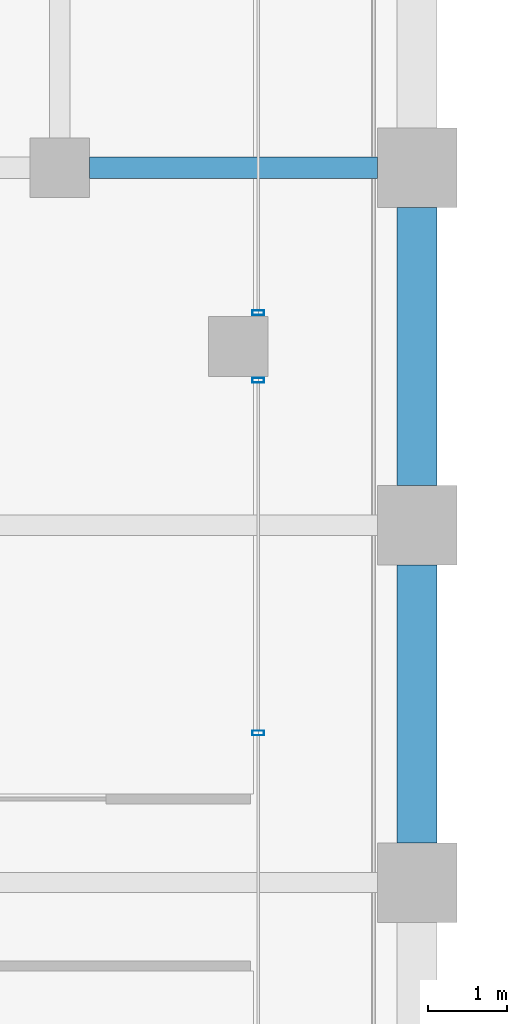
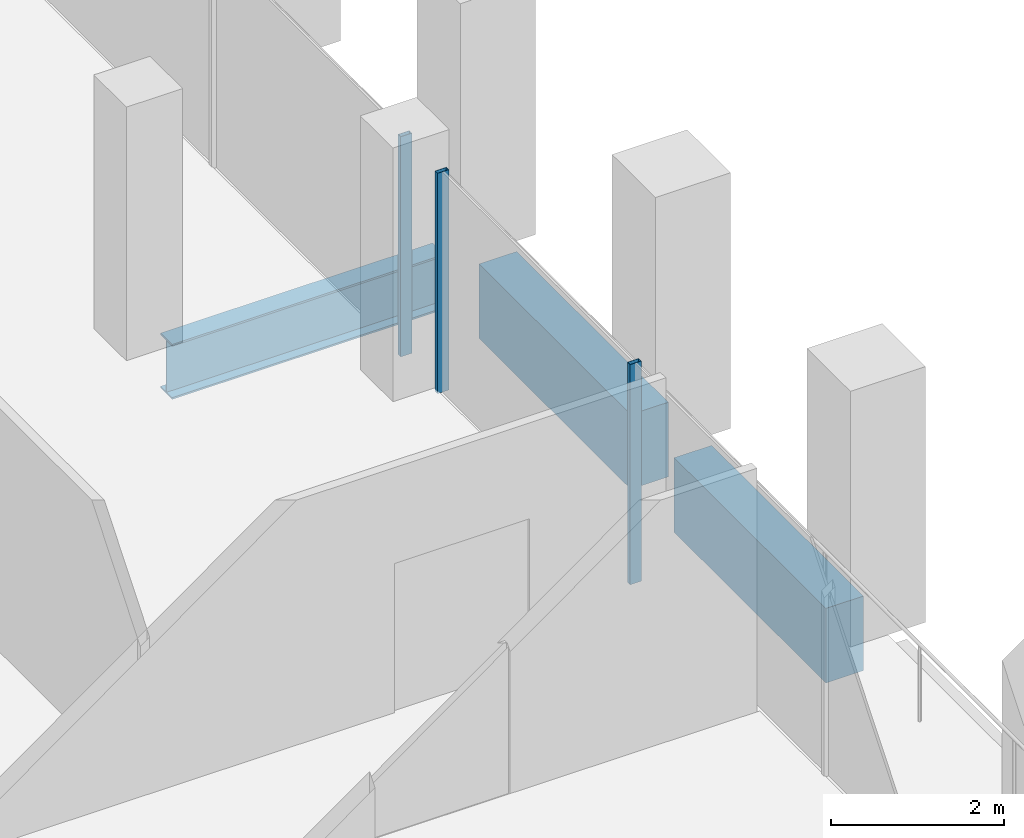
# One storey, part 19 of 46: 3 beams, 3 members, 2 elements without a shape of their own.
"""IFC4 building model written with IfcOpenShell, lengths in metres."""

from ifc_helpers import new_model, si_unit, direction, frame, origin, origin_2d, place, context, subcontext, project, spatial, rectangle, hollow_rectangle, i_section, extrude, material, material_profile, profile_set, type_object, element, aggregate, save


model = new_model("IFC4")

# Units and contexts
model_context = context("Model", 3, precision=1e-05, world=origin(), true_north=direction((0.0, 1.0)))
body_context = subcontext(model_context, "Body", "Model", "MODEL_VIEW")
ifc_project = project(units=[si_unit("LENGTHUNIT", "METRE"), si_unit("AREAUNIT", "SQUARE_METRE"), si_unit("VOLUMEUNIT", "CUBIC_METRE"), si_unit("PLANEANGLEUNIT", "RADIAN"), si_unit("MASSUNIT", "GRAM", prefix="KILO")], contexts=[model_context])

# Site, building, storey
site_placement = place(None, origin())
site = spatial("IfcSite", under=ifc_project, at=site_placement, CompositionType="ELEMENT")
building_placement = place(site_placement, origin())
building = spatial("IfcBuilding", under=site, at=building_placement, Name="Altepetl Exchange Towers", CompositionType="ELEMENT")
storey_placement = place(building_placement, frame((0.0, 0.0, 106.39990234375)))
storey = spatial("IfcBuildingStorey", under=building, at=storey_placement, Name="L26", CompositionType="ELEMENT", Elevation=106.39990234375)

# Beam
ifc_material_1 = material(Name="Steel S355", Category="steel")
ifc_material_profile_1 = material_profile(ifc_material_1, i_section(OverallWidth=0.26806640625, OverallDepth=0.77392578125, WebThickness=0.015380859375, FlangeThickness=0.025390625, at=origin_2d()), Name="W30X132")
ifc_profile_set_1 = profile_set([ifc_material_profile_1], Name="Steel S355")
beam_type_1 = type_object("IfcBeamType", Name="Girder W30X132", PredefinedType="BEAM", material=ifc_profile_set_1)
beam_placement = place(storey_placement, frame((67.875, 58.5, -0.536865234375), z_axis=(1.0, 0.0, 0.0), x_axis=(0.0, 1.0, 0.0)))
element("IfcBeam", 1, at=beam_placement, inside=storey, type_object=beam_type_1, Name="gd:A:L26:002", PredefinedType="BEAM", context=body_context, shape_type="SweptSolid", body=[
    extrude(i_section(OverallWidth=0.26806640625, OverallDepth=0.77392578125, WebThickness=0.015380859375, FlangeThickness=0.025390625, at=origin_2d()), origin(), (0.0, 0.0, 1.0), 3.625),
])

# Curtain wall, members
ifc_material_2 = material(Name="Aluminium 6063-T6 glazing", Category="aluminium")
curtain_wall_type = type_object("IfcCurtainWallType", Name="Loggia glazing system", PredefinedType="NOTDEFINED", material=ifc_material_2)
curtain_wall_1_placement = place(storey_placement, origin())
curtain_wall_1 = element("IfcCurtainWall", 2, at=curtain_wall_1_placement, inside=storey, type_object=curtain_wall_type, Name="CW1 run", PredefinedType="NOTDEFINED")
ifc_material_3 = material(Name="Aluminium 6063-T6", Category="aluminium")
ifc_material_profile_2 = material_profile(ifc_material_3, hollow_rectangle(XDim=0.06005859375, YDim=0.14990234375, WallThickness=0.0029296875, at=origin_2d()), Name="Mullion 60x150 aluminium")
ifc_profile_set_2 = profile_set([ifc_material_profile_2], Name="Aluminium 6063-T6")
member_type = type_object("IfcMemberType", Name="Mullion 60x150 aluminium", PredefinedType="MULLION", material=ifc_profile_set_2)
member_1_placement = place(storey_placement, frame((70.0, 51.384033203125, 0.0), z_axis=(0.0, 0.0, 1.0), x_axis=(0.0, 1.0, 0.0)))
member_1 = element("IfcMember", 3, at=member_1_placement, type_object=member_type, Name="MU1 mullion", PredefinedType="MULLION", context=body_context, shape_type="SweptSolid", body=[
    extrude(hollow_rectangle(XDim=0.06005859375, YDim=0.14990234375, WallThickness=0.0029296875, at=origin_2d()), origin(), (0.0, 0.0, 1.0), 3.10009765625),
])
member_2_placement = place(storey_placement, frame((70.0, 55.824951171875, 0.0), z_axis=(0.0, 0.0, 1.0), x_axis=(0.0, 1.0, 0.0)))
member_2 = element("IfcMember", 4, at=member_2_placement, type_object=member_type, Name="MU1 mullion", PredefinedType="MULLION", context=body_context, shape_type="SweptSolid", body=[
    extrude(hollow_rectangle(XDim=0.06005859375, YDim=0.14990234375, WallThickness=0.0029296875, at=origin_2d()), origin(), (0.0, 0.0, 1.0), 3.10009765625),
])
aggregate(curtain_wall_1, [member_1, member_2])

# Curtain wall, member
curtain_wall_2_placement = place(storey_placement, origin())
curtain_wall_2 = element("IfcCurtainWall", 5, at=curtain_wall_2_placement, inside=storey, type_object=curtain_wall_type, Name="CW1 run", PredefinedType="NOTDEFINED")
member_3_placement = place(storey_placement, frame((70.0, 56.675048828125, 0.0), z_axis=(0.0, 0.0, 1.0), x_axis=(0.0, 1.0, 0.0)))
member_3 = element("IfcMember", 6, at=member_3_placement, type_object=member_type, Name="MU1 mullion", PredefinedType="MULLION", context=body_context, shape_type="SweptSolid", body=[
    extrude(hollow_rectangle(XDim=0.06005859375, YDim=0.14990234375, WallThickness=0.0029296875, at=origin_2d()), origin(), (0.0, 0.0, 1.0), 3.10009765625),
])
aggregate(curtain_wall_2, [member_3])

# Beams
ifc_material_4 = material(Name="Concrete C50/60 precast with cantera amarilla facing", Category="concrete")
ifc_material_profile_3 = material_profile(ifc_material_4, rectangle(XDim=0.5, YDim=1.050048828125, at=origin_2d()), Name="500 x 1050")
ifc_profile_set_3 = profile_set([ifc_material_profile_3], Name="Concrete C50/60 precast with cantera amarilla facing")
beam_type_2 = type_object("IfcBeamType", Name="Spandrel beam 500x1050 cantera amarilla", PredefinedType="SPANDREL", material=ifc_profile_set_3)
for number, where, z_axis, x_axis, name in (
    (7, (72.0, 50.0, -0.6748046875), (0.0, 1.0, 0.0), (-1.0, 0.0, 0.0), "sp:A:L26:016"),
    (8, (72.0, 54.5, -0.6748046875), (0.0, 1.0, 0.0), (-1.0, 0.0, 0.0), "sp:A:L26:017"),
):
    element("IfcBeam", number, at=place(storey_placement, frame(where, z_axis=z_axis, x_axis=x_axis)), inside=storey, type_object=beam_type_2, Name=name, PredefinedType="SPANDREL", context=body_context, shape_type="SweptSolid", body=[
        extrude(rectangle(XDim=0.5, YDim=1.050048828125, at=origin_2d()), origin(), (0.0, 0.0, 1.0), 3.5),
    ])

save(model, "model.ifc")
